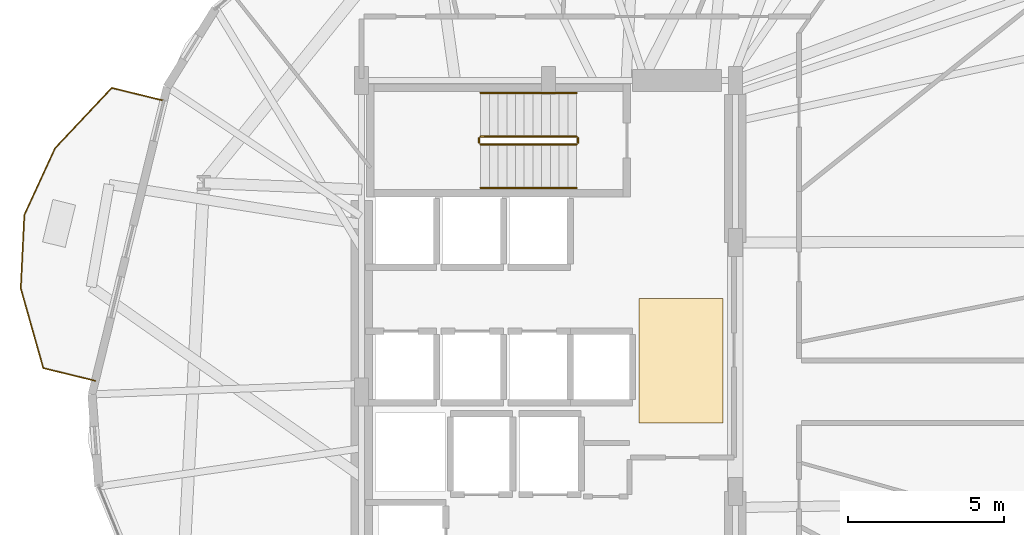
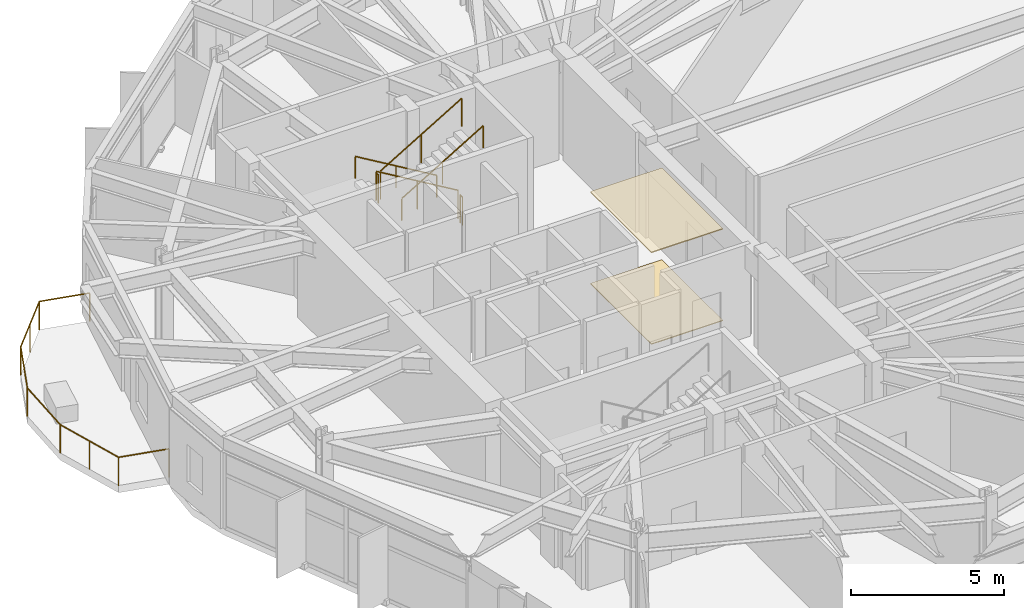
# One storey, part 21 of 22: 7 railings, 2 coverings.
"""IFC4 building model written with IfcOpenShell, lengths in metres."""

import ifcopenshell
import ifcopenshell.guid

model = None  # the IFC model being written
_history = None  # IfcOwnerHistory: only IFC2X3 demands one
_inside = {}  # id of a spatial element -> (the spatial element, [elements in it])
_under = {}  # id of a project, library or spatial element -> (it, [spatial elements below it])
_declared = {}  # id of a project -> (the project, [libraries it declares])
_typed = {}  # id of a type object -> (the type object, [elements of that type])
_made_of = {}  # id of a material, layer set ... -> (it, [elements and type objects made of it])


def new_model(schema):
    """Start an empty IFC model of exactly this schema.

    Asked for "IFC4X3", IfcOpenShell would pick the latest addendum, in which some entities
    have other attributes; the version numbers below select the first issue.
    IFC2X3 requires an IfcOwnerHistory on every rooted entity: one is made here for all.
    """
    global model, _history
    if schema == "IFC4X3":
        model = ifcopenshell.file(schema_version=(4, 3, 0, 0))
    else:
        model = ifcopenshell.file(schema=schema)
    _inside.clear()
    _under.clear()
    _declared.clear()
    _typed.clear()
    _made_of.clear()
    _history = None
    if model.schema == "IFC2X3":
        org = make("IfcOrganization", Name="unknown")
        user = make(
            "IfcPersonAndOrganization",
            ThePerson=make("IfcPerson", FamilyName="unknown"),
            TheOrganization=org,
        )
        app = make(
            "IfcApplication",
            ApplicationDeveloper=org,
            Version="unknown",
            ApplicationFullName="unknown",
            ApplicationIdentifier="unknown",
        )
        _history = make(
            "IfcOwnerHistory",
            OwningUser=user,
            OwningApplication=app,
            ChangeAction="ADDED",
            CreationDate=0,
        )
    return model


def make(cls, **values):
    """One entity of the class cls with the attributes given. An attribute that is None is left unset."""
    return model.create_entity(
        cls, **{name: value for name, value in values.items() if value is not None}
    )


def rooted(cls, **values):
    """An entity with a GlobalId (a new one), such as an element, a storey or a relation."""
    return make(cls, GlobalId=ifcopenshell.guid.new(), OwnerHistory=_history, **values)


def si_unit(unit_type, name, prefix=None):
    """IfcSIUnit, for example si_unit("LENGTHUNIT", "METRE", prefix="MILLI")."""
    return make("IfcSIUnit", UnitType=unit_type, Prefix=prefix, Name=name)


def assignment(units):
    """IfcUnitAssignment: the units of a project."""
    return None if units is None else make("IfcUnitAssignment", Units=units)


def point(xyz):
    """IfcCartesianPoint."""
    return None if xyz is None else make("IfcCartesianPoint", Coordinates=xyz)


def direction(xyz):
    """IfcDirection."""
    return None if xyz is None else make("IfcDirection", DirectionRatios=xyz)


def frame(location, z_axis=None, x_axis=None):
    """IfcAxis2Placement3D, a coordinate frame: its origin and axes. An axis left out is left unset."""
    return make(
        "IfcAxis2Placement3D",
        Location=point(location),
        Axis=direction(z_axis),
        RefDirection=direction(x_axis),
    )


def frame_2d(location, x_axis=None):
    """IfcAxis2Placement2D, a coordinate frame in the plane: its origin and x axis."""
    return make(
        "IfcAxis2Placement2D", Location=point(location), RefDirection=direction(x_axis)
    )


def origin():
    """The frame at (0, 0, 0) with its axes left unset."""
    return frame((0.0, 0.0, 0.0))


def origin_2d():
    """The frame at (0, 0) in the plane with its x axis left unset."""
    return frame_2d((0.0, 0.0))


def place(relative_to, where):
    """IfcLocalPlacement: puts the frame where relative to a parent placement (None: the world)."""
    return make(
        "IfcLocalPlacement", PlacementRelTo=relative_to, RelativePlacement=where
    )


def context(
    kind, dimensions, precision=None, world=None, true_north=None, identifier=None
):
    """IfcGeometricRepresentationContext, for example the 3D "Model" context."""
    return make(
        "IfcGeometricRepresentationContext",
        ContextIdentifier=identifier,
        ContextType=kind,
        CoordinateSpaceDimension=dimensions,
        Precision=precision,
        WorldCoordinateSystem=world,
        TrueNorth=true_north,
    )


def subcontext(parent, identifier, kind, view, scale=None):
    """IfcGeometricRepresentationSubContext, for example "Body" below "Model"."""
    return make(
        "IfcGeometricRepresentationSubContext",
        ContextIdentifier=identifier,
        ContextType=kind,
        ParentContext=parent,
        TargetScale=scale,
        TargetView=view,
    )


def project(units=None, contexts=None):
    """IfcProject with its units and contexts."""
    return rooted(
        "IfcProject",
        Name="project",
        RepresentationContexts=contexts,
        UnitsInContext=assignment(units),
    )


def spatial(cls, under=None, at=None, **own):
    """A site, building, storey or space (cls), placed at a placement, below another one or the project."""
    s = rooted(cls, ObjectPlacement=at, **own)
    if under is not None:
        _under.setdefault(under.id(), (under, []))[1].append(s)
    return s


def polyline(points):
    """IfcPolyline through the points."""
    return make("IfcPolyline", Points=[point(p) for p in points])


def profile(cls, at=None, kind="AREA", **sizes):
    """A parametric profile (cls). Its sizes go by their IFC names, for example OverallWidth=200.0."""
    return make(cls, ProfileType=kind, Position=at, **sizes)


def circle(**sizes):
    """IfcCircleProfileDef."""
    return profile("IfcCircleProfileDef", **sizes)


def outline(outer, holes=None, kind="AREA"):
    """IfcArbitraryClosedProfileDef: a profile drawn as a closed curve; with holes, ...WithVoids."""
    if holes is None:
        return make("IfcArbitraryClosedProfileDef", ProfileType=kind, OuterCurve=outer)
    return make(
        "IfcArbitraryProfileDefWithVoids",
        ProfileType=kind,
        OuterCurve=outer,
        InnerCurves=holes,
    )


def extrude(swept, where, along, depth):
    """IfcExtrudedAreaSolid: the profile swept, set in the frame where, extruded along a direction by depth."""
    return make(
        "IfcExtrudedAreaSolid",
        SweptArea=swept,
        Position=where,
        ExtrudedDirection=direction(along),
        Depth=depth,
    )


def shape(context_of_items, identifier, shape_type, items):
    """IfcShapeRepresentation: the items that make up one representation, for example the "Body"."""
    return make(
        "IfcShapeRepresentation",
        ContextOfItems=context_of_items,
        RepresentationIdentifier=identifier,
        RepresentationType=shape_type,
        Items=items,
    )


def material(Name=None, Category=None):
    """IfcMaterial."""
    return make("IfcMaterial", Name=Name, Category=Category)


def layer(
    of_material, thickness, ventilated=None, Name=None, Category=None, Priority=None
):
    """IfcMaterialLayer: one layer of a wall or slab, of a material (None: an air gap)."""
    return make(
        "IfcMaterialLayer",
        Material=of_material,
        LayerThickness=thickness,
        IsVentilated=ventilated,
        Name=Name,
        Category=Category,
        Priority=Priority,
    )


def layer_set(layers, Name=None):
    """IfcMaterialLayerSet."""
    return make("IfcMaterialLayerSet", MaterialLayers=layers, LayerSetName=Name)


def made_of(thing, what):
    """Note that an element or type object is made of a material, layer set ...; save() writes the relation."""
    if what is not None:
        _made_of.setdefault(what.id(), (what, []))[1].append(thing)
    return thing


def type_object(cls, material=None, **own):
    """A type object (cls), such as IfcWallType, which elements share."""
    return made_of(rooted(cls, **own), material)


def element(
    cls,
    number,
    at=None,
    inside=None,
    cuts=None,
    type_object=None,
    material=None,
    context=None,
    identifier="Body",
    shape_type=None,
    held_by="IfcProductDefinitionShape",
    body=None,
    shapes=None,
    **own,
):
    """One element of the class cls, such as IfcWall. Its Tag is "e" and its number.

    at: its placement. inside: the storey or other place that contains it. cuts: it is an
    opening in that element (IfcRelVoidsElement). A single representation is given by context,
    identifier, shape_type and body (its items); several are given by shapes. held_by: the class
    of the entity that holds the representations. save() writes the other relations.
    """
    e = rooted(cls, Tag="e%d" % number, ObjectPlacement=at, **own)
    if body is not None:
        shapes = [shape(context, identifier, shape_type, body)]
    if shapes is not None:
        e.Representation = make(held_by, Representations=shapes)
    if inside is not None:
        _inside.setdefault(inside.id(), (inside, []))[1].append(e)
    if cuts is not None:
        rooted(
            "IfcRelVoidsElement", RelatingBuildingElement=cuts, RelatedOpeningElement=e
        )
    if type_object is not None:
        _typed.setdefault(type_object.id(), (type_object, []))[1].append(e)
    return made_of(e, material)


def aggregate(whole, parts):
    """IfcRelAggregates: a whole, such as a stair, and the parts it consists of."""
    return rooted("IfcRelAggregates", RelatingObject=whole, RelatedObjects=parts)


def save(model, path):
    """Write the relations noted so far, then the file.

    IfcRelAggregates (storeys below a building ...), IfcRelContainedInSpatialStructure (elements
    in a storey), IfcRelDefinesByType, IfcRelAssociatesMaterial and IfcRelDeclares: one each for
    every whole, place, type object, material and project.
    """
    for whole, parts in _under.values():
        aggregate(whole, parts)
    for where, things in _inside.values():
        rooted(
            "IfcRelContainedInSpatialStructure",
            RelatedElements=things,
            RelatingStructure=where,
        )
    for kind, things in _typed.values():
        rooted("IfcRelDefinesByType", RelatedObjects=things, RelatingType=kind)
    for what, things in _made_of.values():
        rooted("IfcRelAssociatesMaterial", RelatedObjects=things, RelatingMaterial=what)
    for by, libraries in _declared.values():
        rooted("IfcRelDeclares", RelatingContext=by, RelatedDefinitions=libraries)
    model.write(path)


model = new_model("IFC4")

# Units and contexts
model_context = context("Model", 3, precision=1e-05, world=origin(), true_north=direction((0.0, 1.0)))
body_context = subcontext(model_context, "Body", "Model", "MODEL_VIEW")
ifc_project = project(units=[si_unit("LENGTHUNIT", "METRE"), si_unit("AREAUNIT", "SQUARE_METRE"), si_unit("VOLUMEUNIT", "CUBIC_METRE"), si_unit("PLANEANGLEUNIT", "RADIAN"), si_unit("MASSUNIT", "GRAM", prefix="KILO")], contexts=[model_context])

# Site, building, storey
site_placement = place(None, origin())
site = spatial("IfcSite", under=ifc_project, at=site_placement, CompositionType="ELEMENT")
building_placement = place(site_placement, origin())
building = spatial("IfcBuilding", under=site, at=building_placement, Name="Soratama Intermodal Tower", CompositionType="ELEMENT")
storey_placement = place(building_placement, frame((0.0, 0.0, 46.60009765625)))
storey = spatial("IfcBuildingStorey", under=building, at=storey_placement, Name="L10", CompositionType="ELEMENT", Elevation=46.60009765625)

# Coverings
ifc_material_1 = material(Name="Perforated mineral acoustic ceiling", Category="concrete")
ifc_layer_1 = layer(ifc_material_1, 0.0400390625)
ifc_layer_set_1 = layer_set([ifc_layer_1], Name="Perforated mineral acoustic ceiling")
covering_type_1 = type_object("IfcCoveringType", Name="CV-CEIL-ACOUSTIC", PredefinedType="CEILING", material=ifc_layer_set_1)
covering_1_placement = place(storey_placement, frame((0.0, 0.0, 3.659912109375)))
element("IfcCovering", 1, at=covering_1_placement, inside=storey, type_object=covering_type_1, Name="L10 Acoustic Ceiling", PredefinedType="CEILING", context=body_context, shape_type="SweptSolid", body=[
    extrude(outline(polyline([(41.5, 24.0), (44.199951171875, 24.0), (44.199951171875, 28.0), (41.5, 28.0), (41.5, 24.0)])), origin(), (0.0, 0.0, 1.0), 0.0400390625),
])
ifc_material_2 = material(Name="Polished Andean stone terrazzo flooring", Category="masonry")
ifc_layer_2 = layer(ifc_material_2, 0.030029296875)
ifc_layer_set_2 = layer_set([ifc_layer_2], Name="Polished Andean stone terrazzo flooring")
covering_type_2 = type_object("IfcCoveringType", Name="CV-FLOR-TERRAZZO", PredefinedType="FLOORING", material=ifc_layer_set_2)
covering_2_placement = place(storey_placement, origin())
element("IfcCovering", 2, at=covering_2_placement, inside=storey, type_object=covering_type_2, Name="L10 Lobby Terrazzo Flooring", PredefinedType="FLOORING", context=body_context, shape_type="SweptSolid", body=[
    extrude(outline(polyline([(41.5, 24.0), (44.199951171875, 24.0), (44.199951171875, 28.0), (41.5, 28.0), (41.5, 24.0)])), origin(), (0.0, 0.0, 1.0), 0.02978515625),
])

# Railings
ifc_material_3 = material(Name="Laminated glass and stainless steel balustrade", Category="steel")
railing_type_1 = type_object("IfcRailingType", Name="RL-BAL-1150", PredefinedType="BALUSTRADE", material=ifc_material_3)
railing_1_placement = place(storey_placement, frame((24.0419921875, 25.35546875, 0.0)))
element("IfcRailing", 3, at=railing_1_placement, inside=storey, type_object=railing_type_1, Name="L10 Balcony Balustrade 3", PredefinedType="BALUSTRADE", context=body_context, shape_type="SweptSolid", body=[
    extrude(circle(Radius=0.02392578125, at=origin_2d()), frame((0.0, 0.0, 1.1259765625), z_axis=(-0.971398278963, 0.237456066731, 0.0), x_axis=(-0.237456066731, -0.971398278963, 0.0)), (0.0, 0.0, 1.0), 1.72021484375),
    extrude(circle(Radius=0.02392578125, at=origin_2d()), frame((-1.6708984375, 0.408447265625, 1.1259765625), z_axis=(-0.271715076726, 0.962377741368, 0.0), x_axis=(-0.962377741368, -0.271715076726, 0.0)), (0.0, 0.0, 1.0), 2.661376953125),
    extrude(circle(Radius=0.02392578125, at=origin_2d()), frame((-2.39404296875, 2.9697265625, 1.1259765625), z_axis=(0.048322226259, 0.998831798878, 0.0), x_axis=(-0.998831798878, 0.048322226259, 0.0)), (0.0, 0.0, 1.0), 2.359375),
    extrude(circle(Radius=0.02392578125, at=origin_2d()), frame((-2.280029296875, 5.326416015625, 1.1259765625), z_axis=(0.418008082312, 0.908443307599, 0.0), x_axis=(-0.908443307599, 0.418008082312, 0.0)), (0.0, 0.0, 1.0), 2.359619140625),
    extrude(circle(Radius=0.02392578125, at=origin_2d()), frame((-1.293701171875, 7.469970703125, 1.1259765625), z_axis=(0.685172956331, 0.728380408792, 0.0), x_axis=(-0.728380408792, 0.685172956331, 0.0)), (0.0, 0.0, 1.0), 2.661376953125),
    extrude(circle(Radius=0.02392578125, at=origin_2d()), frame((0.52978515625, 9.408447265625, 1.1259765625), z_axis=(0.971398278963, -0.237456066731, 0.0), x_axis=(0.237456066731, 0.971398278963, 0.0)), (0.0, 0.0, 1.0), 1.72021484375),
    extrude(circle(Radius=0.02099609375, at=origin_2d()), origin(), (0.0, 0.0, 1.0), 1.101806640625),
    extrude(circle(Radius=0.02099609375, at=origin_2d()), frame((-1.6708984375, 0.408447265625, 0.0)), (0.0, 0.0, 1.0), 1.101806640625),
    extrude(circle(Radius=0.02099609375, at=origin_2d()), frame((-2.032470703125, 1.68896484375, 0.0)), (0.0, 0.0, 1.0), 1.101806640625),
    extrude(circle(Radius=0.02099609375, at=origin_2d()), frame((-2.39404296875, 2.9697265625, 0.0)), (0.0, 0.0, 1.0), 1.101806640625),
    extrude(circle(Radius=0.02099609375, at=origin_2d()), frame((-2.280029296875, 5.326416015625, 0.0)), (0.0, 0.0, 1.0), 1.101806640625),
    extrude(circle(Radius=0.02099609375, at=origin_2d()), frame((-1.293701171875, 7.469970703125, 0.0)), (0.0, 0.0, 1.0), 1.101806640625),
    extrude(circle(Radius=0.02099609375, at=origin_2d()), frame((-0.3818359375, 8.439208984375, 0.0)), (0.0, 0.0, 1.0), 1.101806640625),
    extrude(circle(Radius=0.02099609375, at=origin_2d()), frame((0.52978515625, 9.408447265625, 0.0)), (0.0, 0.0, 1.0), 1.101806640625),
    extrude(circle(Radius=0.02099609375, at=origin_2d()), frame((2.20068359375, 9.0, 0.0)), (0.0, 0.0, 1.0), 1.101806640625),
])
ifc_material_4 = material(Name="Painted steel stair guardrail", Category="steel")
railing_type_2 = type_object("IfcRailingType", Name="RL-STAIR-GUARD", PredefinedType="GUARDRAIL", material=ifc_material_4)
railing_2_placement = place(storey_placement, frame((39.5, 33.199951171875, 0.16650390625)))
element("IfcRailing", 4, at=railing_2_placement, inside=storey, type_object=railing_type_2, Name="L10 ST-2 stair guard 1", PredefinedType="GUARDRAIL", context=body_context, shape_type="SweptSolid", body=[
    extrude(circle(Radius=0.02392578125, at=origin_2d()), frame((0.0, 0.0, 1.1259765625), z_axis=(-0.85927862911, 0.0, 0.511507807912), x_axis=(0.0, -1.0, 0.0)), (0.0, 0.0, 1.0), 3.58447265625),
    extrude(circle(Radius=0.02099609375, at=origin_2d()), origin(), (0.0, 0.0, 1.0), 1.101806640625),
    extrude(circle(Radius=0.02099609375, at=origin_2d()), frame((-1.5400390625, 0.0, 0.916748046875)), (0.0, 0.0, 1.0), 1.101806640625),
    extrude(circle(Radius=0.02099609375, at=origin_2d()), frame((-3.080078125, 0.0, 1.83349609375)), (0.0, 0.0, 1.0), 1.101806640625),
])
railing_3_placement = place(storey_placement, frame((36.3701171875, 33.14990234375, 2.0)))
element("IfcRailing", 5, at=railing_3_placement, inside=storey, type_object=railing_type_2, Name="L10 ST-2 stair guard 2", PredefinedType="GUARDRAIL", context=body_context, shape_type="SweptSolid", body=[
    extrude(circle(Radius=0.02392578125, at=origin_2d()), frame((0.0, 0.0, 1.1259765625), z_axis=(0.0, -1.0, 0.0), x_axis=(1.0, 0.0, 0.0)), (0.0, 0.0, 1.0), 0.14990234375),
    extrude(circle(Radius=0.02099609375, at=origin_2d()), origin(), (0.0, 0.0, 1.0), 1.101806640625),
    extrude(circle(Radius=0.02099609375, at=origin_2d()), frame((0.0, -0.14990234375, 0.0)), (0.0, 0.0, 1.0), 1.101806640625),
])
railing_4_placement = place(storey_placement, frame((36.419921875, 32.949951171875, 2.16650390625)))
element("IfcRailing", 6, at=railing_4_placement, inside=storey, type_object=railing_type_2, Name="L10 ST-2 stair guard 3", PredefinedType="GUARDRAIL", context=body_context, shape_type="SweptSolid", body=[
    extrude(circle(Radius=0.02392578125, at=origin_2d()), frame((0.0, 0.0, 1.1259765625), z_axis=(0.85927862911, 0.0, 0.511507807912), x_axis=(0.0, 1.0, 0.0)), (0.0, 0.0, 1.0), 3.58447265625),
    extrude(circle(Radius=0.02099609375, at=origin_2d()), origin(), (0.0, 0.0, 1.0), 1.101806640625),
    extrude(circle(Radius=0.02099609375, at=origin_2d()), frame((1.5400390625, 0.0, 0.916748046875)), (0.0, 0.0, 1.0), 1.101806640625),
    extrude(circle(Radius=0.02099609375, at=origin_2d()), frame((3.080078125, 0.0, 1.83349609375)), (0.0, 0.0, 1.0), 1.101806640625),
])
railing_5_placement = place(storey_placement, frame((39.550048828125, 33.14990234375, 0.0)))
element("IfcRailing", 7, at=railing_5_placement, inside=storey, type_object=railing_type_2, Name="L10 ST-2 stair guard 4", PredefinedType="GUARDRAIL", context=body_context, shape_type="SweptSolid", body=[
    extrude(circle(Radius=0.02392578125, at=origin_2d()), frame((0.0, 0.0, 1.1259765625), z_axis=(0.0, -1.0, 0.0), x_axis=(1.0, 0.0, 0.0)), (0.0, 0.0, 1.0), 0.14990234375),
    extrude(circle(Radius=0.02099609375, at=origin_2d()), origin(), (0.0, 0.0, 1.0), 1.101806640625),
    extrude(circle(Radius=0.02099609375, at=origin_2d()), frame((0.0, -0.14990234375, 0.0)), (0.0, 0.0, 1.0), 1.101806640625),
])
ifc_material_5 = material(Name="Brushed stainless steel handrail", Category="steel")
railing_type_3 = type_object("IfcRailingType", Name="RL-STAIR-HAND", PredefinedType="HANDRAIL", material=ifc_material_5)
railing_6_placement = place(storey_placement, frame((39.5, 34.60009765625, 0.16650390625)))
element("IfcRailing", 8, at=railing_6_placement, inside=storey, type_object=railing_type_3, Name="L10 ST-2 stair handrail 1", PredefinedType="HANDRAIL", context=body_context, shape_type="SweptSolid", body=[
    extrude(circle(Radius=0.02392578125, at=origin_2d()), frame((0.0, 0.0, 0.8759765625), z_axis=(-0.85927862911, 0.0, 0.511507807912), x_axis=(0.0, -1.0, 0.0)), (0.0, 0.0, 1.0), 3.58447265625),
    extrude(circle(Radius=0.02099609375, at=origin_2d()), origin(), (0.0, 0.0, 1.0), 0.851806640625),
    extrude(circle(Radius=0.02099609375, at=origin_2d()), frame((-1.5400390625, 0.0, 0.916748046875)), (0.0, 0.0, 1.0), 0.851806640625),
    extrude(circle(Radius=0.02099609375, at=origin_2d()), frame((-3.080078125, 0.0, 1.83349609375)), (0.0, 0.0, 1.0), 0.851806640625),
])
railing_7_placement = place(storey_placement, frame((36.419921875, 31.550048828125, 2.16650390625)))
element("IfcRailing", 9, at=railing_7_placement, inside=storey, type_object=railing_type_3, Name="L10 ST-2 stair handrail 2", PredefinedType="HANDRAIL", context=body_context, shape_type="SweptSolid", body=[
    extrude(circle(Radius=0.02392578125, at=origin_2d()), frame((0.0, 0.0, 0.8759765625), z_axis=(0.85927862911, 0.0, 0.511507807912), x_axis=(0.0, 1.0, 0.0)), (0.0, 0.0, 1.0), 3.58447265625),
    extrude(circle(Radius=0.02099609375, at=origin_2d()), origin(), (0.0, 0.0, 1.0), 0.851806640625),
    extrude(circle(Radius=0.02099609375, at=origin_2d()), frame((1.5400390625, 0.0, 0.916748046875)), (0.0, 0.0, 1.0), 0.851806640625),
    extrude(circle(Radius=0.02099609375, at=origin_2d()), frame((3.080078125, 0.0, 1.83349609375)), (0.0, 0.0, 1.0), 0.851806640625),
])

save(model, "model.ifc")
